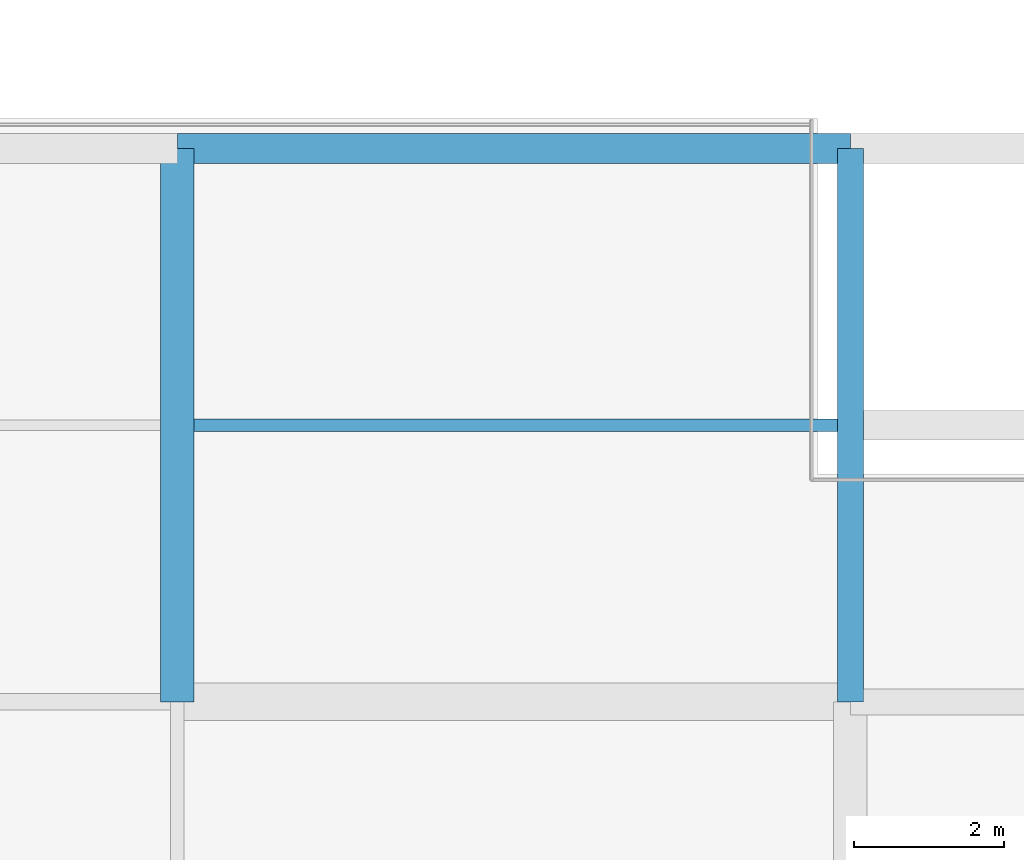
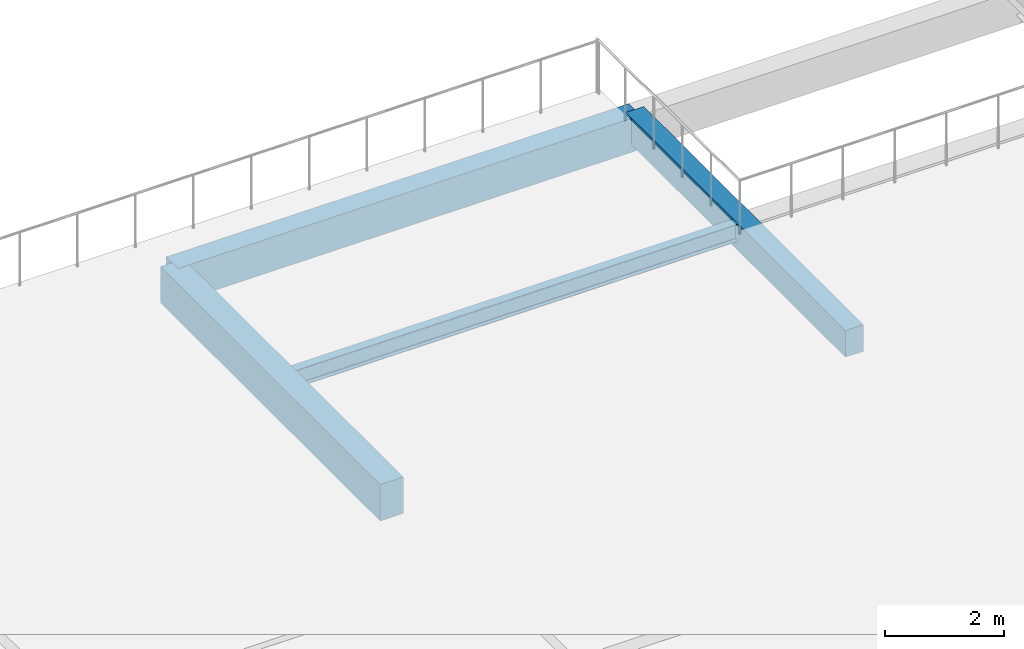
# One storey, part 54 of 165: 4 beams.
"""IFC4 building model written with IfcOpenShell, lengths in metres."""

from ifc_helpers import new_model, si_unit, direction, frame, origin, origin_2d, place, context, subcontext, project, spatial, rectangle, i_section, extrude, material, material_profile, profile_set, type_object, element, save


model = new_model("IFC4")

# Units and contexts
model_context = context("Model", 3, precision=1e-05, world=origin(), true_north=direction((0.0, 1.0)))
body_context = subcontext(model_context, "Body", "Model", "MODEL_VIEW")
ifc_project = project(units=[si_unit("LENGTHUNIT", "METRE"), si_unit("AREAUNIT", "SQUARE_METRE"), si_unit("VOLUMEUNIT", "CUBIC_METRE"), si_unit("PLANEANGLEUNIT", "RADIAN"), si_unit("MASSUNIT", "GRAM", prefix="KILO")], contexts=[model_context])

# Site, building, storey
site_placement = place(None, origin())
site = spatial("IfcSite", under=ifc_project, at=site_placement, CompositionType="ELEMENT")
building_placement = place(site_placement, origin())
building = spatial("IfcBuilding", under=site, at=building_placement, Name="Qalavern Law Courts", CompositionType="ELEMENT")
storey_placement = place(building_placement, frame((0.0, 0.0, 14.39990234375)))
storey = spatial("IfcBuildingStorey", under=building, at=storey_placement, Name="L03", CompositionType="ELEMENT", Elevation=14.39990234375)

# Beams
ifc_material_1 = material(Name="Concrete C35/45", Category="concrete")
ifc_material_profile_1 = material_profile(ifc_material_1, rectangle(XDim=0.35009765625, YDim=0.550048828125, at=origin_2d()), Name="RC 350x550")
ifc_profile_set_1 = profile_set([ifc_material_profile_1], Name="Concrete C35/45")
beam_type_1 = type_object("IfcBeamType", Name="STR-BM-RC350x550", PredefinedType="BEAM", material=ifc_profile_set_1)
beam_1_placement = place(storey_placement, frame((126.800048828125, 14.800048828125, -0.5869140625), z_axis=(0.0, 1.0, 0.0), x_axis=(-1.0, 0.0, 0.0)))
element("IfcBeam", 1, at=beam_1_placement, inside=storey, type_object=beam_type_1, Name="V6 Y-beam 4-3 L03", PredefinedType="BEAM", context=body_context, shape_type="SweptSolid", body=[
    extrude(rectangle(XDim=0.35009765625, YDim=0.550048828125, at=origin_2d()), origin(), (0.0, 0.0, 1.0), 7.39990234375),
])
ifc_material_2 = material(Name="Concrete C40/50", Category="concrete")
ifc_material_profile_2 = material_profile(ifc_material_2, rectangle(XDim=0.449951171875, YDim=0.75, at=origin_2d()), Name="RC 450x750")
ifc_profile_set_2 = profile_set([ifc_material_profile_2], Name="Concrete C40/50")
beam_type_2 = type_object("IfcBeamType", Name="STR-BM-RC450x750", PredefinedType="BEAM", material=ifc_profile_set_2)
beam_2_placement = place(storey_placement, frame((117.800048828125, 14.800048828125, -0.68701171875), z_axis=(0.0, 1.0, 0.0), x_axis=(-1.0, 0.0, 0.0)))
element("IfcBeam", 2, at=beam_2_placement, inside=storey, type_object=beam_type_2, Name="V6 Y-beam 3-3 L03", PredefinedType="BEAM", context=body_context, shape_type="SweptSolid", body=[
    extrude(rectangle(XDim=0.449951171875, YDim=0.75, at=origin_2d()), origin(), (0.0, 0.0, 1.0), 7.39990234375),
])
ifc_material_3 = material(Name="Steel S355", Category="steel")
ifc_material_profile_3 = material_profile(ifc_material_3, i_section(OverallWidth=0.169921875, OverallDepth=0.360107421875, WebThickness=0.008056640625, FlangeThickness=0.0126953125, FilletRadius=0.01806640625, at=origin_2d()), Name="IPE 360")
ifc_profile_set_3 = profile_set([ifc_material_profile_3], Name="Steel S355")
beam_type_3 = type_object("IfcBeamType", Name="STR-JST-IPE360", PredefinedType="JOIST", material=ifc_profile_set_3)
beam_3_placement = place(storey_placement, frame((118.02294921875, 18.5, -0.491943359375), z_axis=(1.0, 0.0, 0.0), x_axis=(0.0, 1.0, 0.0)))
element("IfcBeam", 3, at=beam_3_placement, inside=storey, type_object=beam_type_3, Name="V6 secondary joist 3.3.1 L03", PredefinedType="JOIST", context=body_context, shape_type="SweptSolid", body=[
    extrude(i_section(OverallWidth=0.169921875, OverallDepth=0.360107421875, WebThickness=0.008056640625, FlangeThickness=0.0126953125, FilletRadius=0.01806640625, at=origin_2d()), origin(), (0.0, 0.0, 1.0), 8.60400390625),
])
ifc_material_profile_4 = material_profile(ifc_material_2, rectangle(XDim=0.39990234375, YDim=0.699951171875, at=origin_2d()), Name="RC 400x700")
ifc_profile_set_4 = profile_set([ifc_material_profile_4], Name="Concrete C40/50")
beam_type_4 = type_object("IfcBeamType", Name="STR-SP-RC400x700", PredefinedType="SPANDREL", material=ifc_profile_set_4)
beam_4_placement = place(storey_placement, frame((117.800048828125, 22.199951171875, -0.661865234375), z_axis=(1.0, 0.0, 0.0), x_axis=(0.0, 1.0, 0.0)))
element("IfcBeam", 4, at=beam_4_placement, inside=storey, type_object=beam_type_4, Name="V6 X-beam 4-3 L03", PredefinedType="SPANDREL", context=body_context, shape_type="SweptSolid", body=[
    extrude(rectangle(XDim=0.39990234375, YDim=0.699951171875, at=origin_2d()), origin(), (0.0, 0.0, 1.0), 9.0),
])

save(model, "model.ifc")
